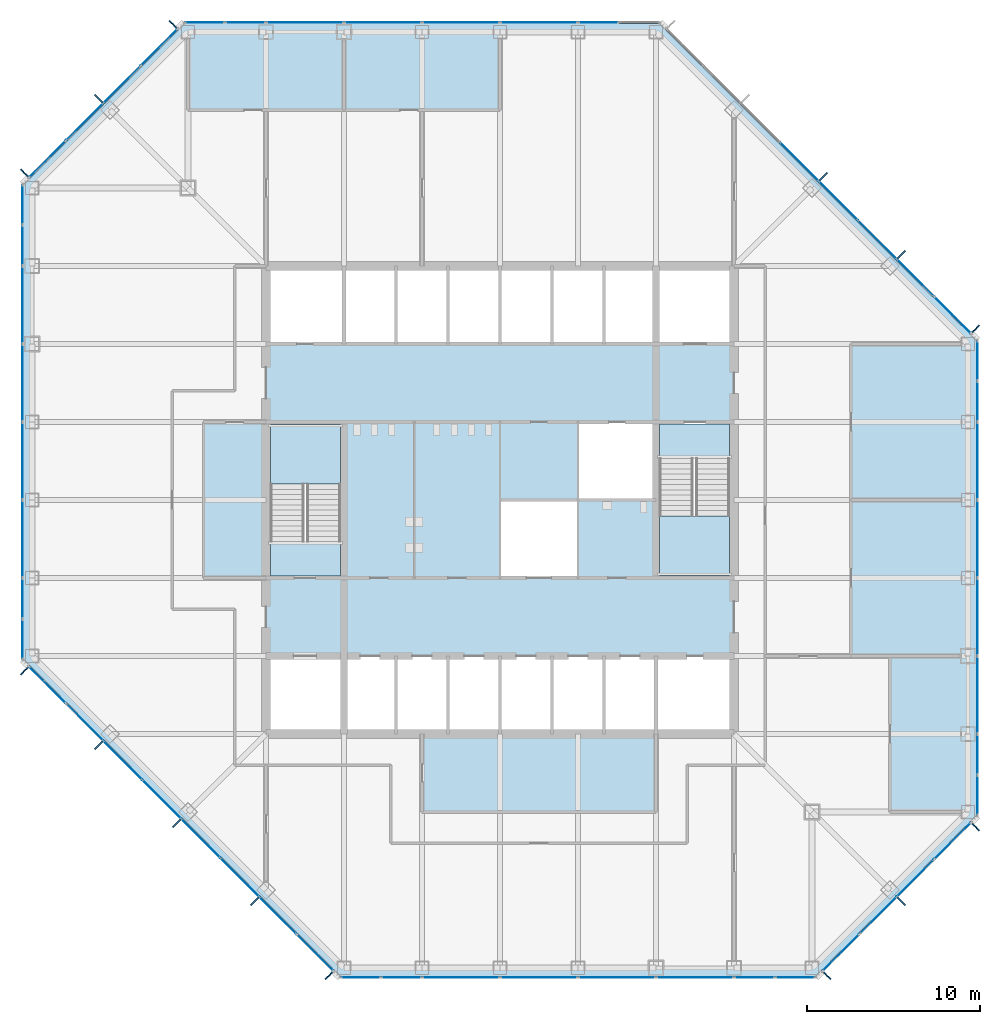
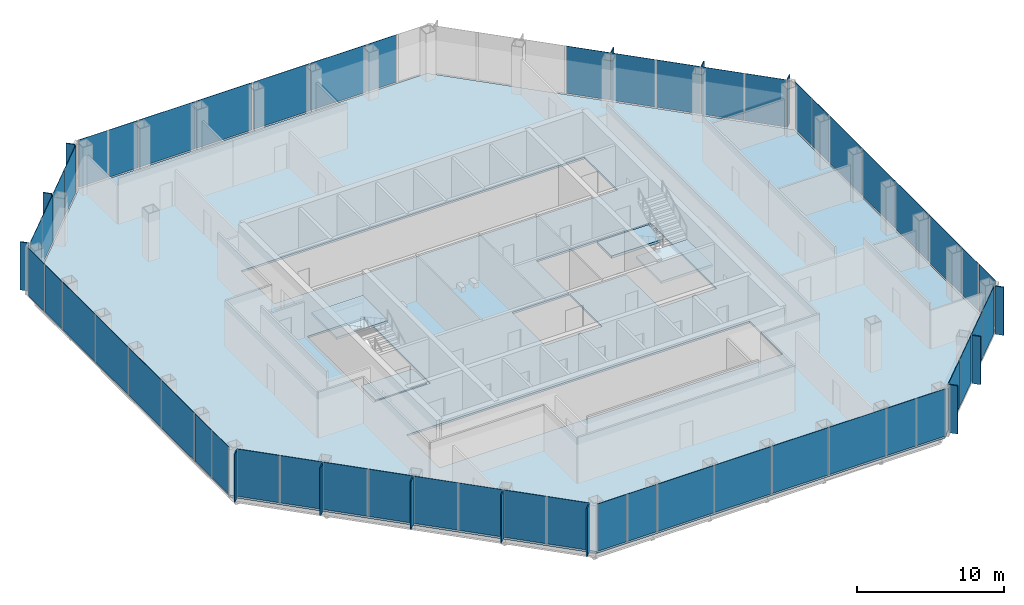
# One storey, part 7 of 12: 66 plates, 5 slabs, 10 elements without a shape of their own.
"""IFC4 building model written with IfcOpenShell, lengths in metres."""

from ifc_helpers import new_model, si_unit, direction, frame, origin, origin_2d, place, context, subcontext, project, spatial, polyline, rectangle, outline, extrude, material, layer, layer_set, type_object, element, aggregate, save


model = new_model("IFC4")

# Units and contexts
model_context = context("Model", 3, precision=1e-05, world=origin(), true_north=direction((0.0, 1.0)))
body_context = subcontext(model_context, "Body", "Model", "MODEL_VIEW")
ifc_project = project(units=[si_unit("LENGTHUNIT", "METRE"), si_unit("AREAUNIT", "SQUARE_METRE"), si_unit("VOLUMEUNIT", "CUBIC_METRE"), si_unit("PLANEANGLEUNIT", "RADIAN"), si_unit("MASSUNIT", "GRAM", prefix="KILO")], contexts=[model_context])

# Site, building, storey
site_placement = place(None, origin())
site = spatial("IfcSite", under=ifc_project, at=site_placement, CompositionType="ELEMENT")
building_placement = place(site_placement, origin())
building = spatial("IfcBuilding", under=site, at=building_placement, Name="Corais Broadcast Tower", CompositionType="ELEMENT")
storey_placement = place(building_placement, frame((0.0, 0.0, 115.60009765625)))
storey = spatial("IfcBuildingStorey", under=building, at=storey_placement, Name="L25", CompositionType="ELEMENT", Elevation=115.60009765625)

# Slab
ifc_material_1 = material(Name="Concrete C30/37", Category="concrete")
ifc_layer_1 = layer(ifc_material_1, 0.159912109375)
ifc_layer_set_1 = layer_set([ifc_layer_1], Name="Concrete C30/37")
slab_type_1 = type_object("IfcSlabType", Name="Composite floor slab 160", PredefinedType="FLOOR", material=ifc_layer_set_1)
slab_1_placement = place(storey_placement, frame((0.0, 0.0, -0.16015625)))
element("IfcSlab", 1, at=slab_1_placement, inside=storey, type_object=slab_type_1, Name="S160 floor slab L25", PredefinedType="FLOOR", context=body_context, shape_type="SweptSolid", body=[
    extrude(outline(polyline([(17.80126953125, -0.47998046875), (-0.47998046875, 17.80126953125), (-0.47998046875, 45.19873046875), (8.80126953125, 54.47998046875), (36.19873046875, 54.47998046875), (54.47998046875, 36.19873046875), (54.47998046875, 8.80126953125), (45.19873046875, -0.47998046875), (17.80126953125, -0.47998046875)]), holes=[polyline([(13.5, 18.0), (40.5, 18.0), (40.5, 13.5), (13.5, 13.5), (13.5, 18.0)]), polyline([(13.5, 22.5), (13.5, 31.5), (18.0, 31.5), (18.0, 22.5), (13.5, 22.5)]), polyline([(13.5, 40.5), (40.5, 40.5), (40.5, 36.0), (13.5, 36.0), (13.5, 40.5)]), polyline([(27.0, 22.5), (27.0, 27.0), (31.4951171875, 27.0), (31.4951171875, 27.0048828125), (31.5, 27.0048828125), (31.5, 31.5), (40.5, 31.5), (40.5, 22.5), (36.0, 22.5), (36.0, 27.0), (31.5048828125, 27.0), (31.5048828125, 26.9951171875), (31.5, 26.9951171875), (31.5, 22.5), (27.0, 22.5)])]), origin(), (0.0, 0.0, 1.0), 0.16015625),
])

# Curtain wall, plates
ifc_material_2 = material(Name="Aluminium and glass", Category="aluminium")
curtain_wall_type = type_object("IfcCurtainWallType", Name="Unitised fritted curtain wall CW2", PredefinedType="NOTDEFINED", material=ifc_material_2)
curtain_wall_1_placement = place(storey_placement, origin())
curtain_wall_1 = element("IfcCurtainWall", 2, at=curtain_wall_1_placement, inside=storey, type_object=curtain_wall_type, Name="CW2 curtain wall L25 1", PredefinedType="NOTDEFINED")
ifc_material_3 = material(Name="Ceramic-fritted laminated glass", Category="glass")
ifc_layer_2 = layer(ifc_material_3, 0.028076171875)
ifc_layer_set_2 = layer_set([ifc_layer_2], Name="Ceramic-fritted laminated glass")
plate_type_1 = type_object("IfcPlateType", Name="Fritted glass panel CW2", PredefinedType="CURTAIN_PANEL", material=ifc_layer_set_2)
plate_1_placement = place(storey_placement, frame((16.330322265625, 0.891845703125, 0.06494140625), z_axis=(0.0, 0.0, 1.0), x_axis=(-0.707106781187, 0.707106781187, 0.0)))
plate_1 = element("IfcPlate", 3, at=plate_1_placement, type_object=plate_type_1, Name="CW2 panel 1", PredefinedType="CURTAIN_PANEL", context=body_context, shape_type="SweptSolid", body=[
    extrude(rectangle(XDim=2.9482421875, YDim=0.028076171875, at=origin_2d()), origin(), (0.0, 0.0, 1.0), 3.93505859375),
])
plate_2_placement = place(storey_placement, frame((11.986083984375, 5.236083984375, 0.06494140625), z_axis=(0.0, 0.0, 1.0), x_axis=(-0.707106781187, 0.707106781187, 0.0)))
plate_2 = element("IfcPlate", 4, at=plate_2_placement, type_object=plate_type_1, Name="CW2 panel 3", PredefinedType="CURTAIN_PANEL", context=body_context, shape_type="SweptSolid", body=[
    extrude(rectangle(XDim=3.116943359375, YDim=0.028076171875, at=origin_2d()), origin(), (0.0, 0.0, 1.0), 3.93505859375),
])
plate_3_placement = place(storey_placement, frame((7.486083984375, 9.736083984375, 0.06494140625), z_axis=(0.0, 0.0, 1.0), x_axis=(-0.707106781187, 0.707106781187, 0.0)))
plate_3 = element("IfcPlate", 5, at=plate_3_placement, type_object=plate_type_1, Name="CW2 panel 5", PredefinedType="CURTAIN_PANEL", context=body_context, shape_type="SweptSolid", body=[
    extrude(rectangle(XDim=3.116943359375, YDim=0.028076171875, at=origin_2d()), origin(), (0.0, 0.0, 1.0), 3.93505859375),
])
plate_4_placement = place(storey_placement, frame((3.0341796875, 14.18798828125, 0.06494140625), z_axis=(0.0, 0.0, 1.0), x_axis=(-0.707106781187, 0.707106781187, 0.0)))
plate_4 = element("IfcPlate", 6, at=plate_4_placement, type_object=plate_type_1, Name="CW2 panel 7", PredefinedType="CURTAIN_PANEL", context=body_context, shape_type="SweptSolid", body=[
    extrude(rectangle(XDim=2.98095703125, YDim=0.028076171875, at=origin_2d()), origin(), (0.0, 0.0, 1.0), 3.93505859375),
])

curtain_wall_2_placement = place(storey_placement, origin())
curtain_wall_2 = element("IfcCurtainWall", 7, at=curtain_wall_2_placement, inside=storey, type_object=curtain_wall_type, Name="CW2 curtain wall L25 2", PredefinedType="NOTDEFINED")
plate_5_placement = place(storey_placement, frame((-0.550048828125, 18.970458984375, 0.06494140625), z_axis=(0.0, 0.0, 1.0), x_axis=(0.0, 1.0, 0.0)))
plate_5 = element("IfcPlate", 8, at=plate_5_placement, type_object=plate_type_1, Name="CW2 panel 1", PredefinedType="CURTAIN_PANEL", context=body_context, shape_type="SweptSolid", body=[
    extrude(rectangle(XDim=2.266357421875, YDim=0.028076171875, at=origin_2d()), origin(), (0.0, 0.0, 1.0), 3.93505859375),
])
plate_6_placement = place(storey_placement, frame((-0.550048828125, 24.75, 0.06494140625), z_axis=(0.0, 0.0, 1.0), x_axis=(0.0, 1.0, 0.0)))
plate_6 = element("IfcPlate", 9, at=plate_6_placement, type_object=plate_type_1, Name="CW2 panel 3", PredefinedType="CURTAIN_PANEL", context=body_context, shape_type="SweptSolid", body=[
    extrude(rectangle(XDim=4.43505859375, YDim=0.028076171875, at=origin_2d()), origin(), (0.0, 0.0, 1.0), 3.93505859375),
])
plate_7_placement = place(storey_placement, frame((-0.550048828125, 33.75, 0.06494140625), z_axis=(0.0, 0.0, 1.0), x_axis=(0.0, 1.0, 0.0)))
plate_7 = element("IfcPlate", 10, at=plate_7_placement, type_object=plate_type_1, Name="CW2 panel 5", PredefinedType="CURTAIN_PANEL", context=body_context, shape_type="SweptSolid", body=[
    extrude(rectangle(XDim=4.43505859375, YDim=0.028076171875, at=origin_2d()), origin(), (0.0, 0.0, 1.0), 3.93505859375),
])
plate_8_placement = place(storey_placement, frame((-0.550048828125, 41.681884765625, 0.06494140625), z_axis=(0.0, 0.0, 1.0), x_axis=(0.0, 1.0, 0.0)))
plate_8 = element("IfcPlate", 11, at=plate_8_placement, type_object=plate_type_1, Name="CW2 panel 7", PredefinedType="CURTAIN_PANEL", context=body_context, shape_type="SweptSolid", body=[
    extrude(rectangle(XDim=2.298828125, YDim=0.028076171875, at=origin_2d()), origin(), (0.0, 0.0, 1.0), 3.93505859375),
])

curtain_wall_3_placement = place(storey_placement, origin())
curtain_wall_3 = element("IfcCurtainWall", 12, at=curtain_wall_3_placement, inside=storey, type_object=curtain_wall_type, Name="CW2 curtain wall L25 3", PredefinedType="NOTDEFINED")
plate_9_placement = place(storey_placement, frame((0.891845703125, 46.669677734375, 0.06494140625), z_axis=(0.0, 0.0, 1.0), x_axis=(0.707106781187, 0.707106781187, 0.0)))
plate_9 = element("IfcPlate", 13, at=plate_9_placement, type_object=plate_type_1, Name="CW2 panel 1", PredefinedType="CURTAIN_PANEL", context=body_context, shape_type="SweptSolid", body=[
    extrude(rectangle(XDim=2.9482421875, YDim=0.028076171875, at=origin_2d()), origin(), (0.0, 0.0, 1.0), 3.93505859375),
])
plate_10_placement = place(storey_placement, frame((5.18798828125, 50.9658203125, 0.06494140625), z_axis=(0.0, 0.0, 1.0), x_axis=(0.707106781187, 0.707106781187, 0.0)))
plate_10 = element("IfcPlate", 14, at=plate_10_placement, type_object=plate_type_1, Name="CW2 panel 3", PredefinedType="CURTAIN_PANEL", context=body_context, shape_type="SweptSolid", body=[
    extrude(rectangle(XDim=2.98095703125, YDim=0.028076171875, at=origin_2d()), origin(), (0.0, 0.0, 1.0), 3.93505859375),
])

curtain_wall_4_placement = place(storey_placement, origin())
curtain_wall_4 = element("IfcCurtainWall", 15, at=curtain_wall_4_placement, inside=storey, type_object=curtain_wall_type, Name="CW2 curtain wall L25 4", PredefinedType="NOTDEFINED")
plate_11_placement = place(storey_placement, frame((9.970458984375, 54.550048828125, 0.06494140625), z_axis=(0.0, 0.0, 1.0), x_axis=(1.0, 0.0, 0.0)))
plate_11 = element("IfcPlate", 16, at=plate_11_placement, type_object=plate_type_1, Name="CW2 panel 1", PredefinedType="CURTAIN_PANEL", context=body_context, shape_type="SweptSolid", body=[
    extrude(rectangle(XDim=2.266357421875, YDim=0.028076171875, at=origin_2d()), origin(), (0.0, 0.0, 1.0), 3.93505859375),
])
plate_12_placement = place(storey_placement, frame((15.75, 54.550048828125, 0.06494140625), z_axis=(0.0, 0.0, 1.0), x_axis=(1.0, 0.0, 0.0)))
plate_12 = element("IfcPlate", 17, at=plate_12_placement, type_object=plate_type_1, Name="CW2 panel 3", PredefinedType="CURTAIN_PANEL", context=body_context, shape_type="SweptSolid", body=[
    extrude(rectangle(XDim=4.43505859375, YDim=0.028076171875, at=origin_2d()), origin(), (0.0, 0.0, 1.0), 3.93505859375),
])
plate_13_placement = place(storey_placement, frame((24.75, 54.550048828125, 0.06494140625), z_axis=(0.0, 0.0, 1.0), x_axis=(1.0, 0.0, 0.0)))
plate_13 = element("IfcPlate", 18, at=plate_13_placement, type_object=plate_type_1, Name="CW2 panel 5", PredefinedType="CURTAIN_PANEL", context=body_context, shape_type="SweptSolid", body=[
    extrude(rectangle(XDim=4.43505859375, YDim=0.028076171875, at=origin_2d()), origin(), (0.0, 0.0, 1.0), 3.93505859375),
])
plate_14_placement = place(storey_placement, frame((32.681884765625, 54.550048828125, 0.06494140625), z_axis=(0.0, 0.0, 1.0), x_axis=(1.0, 0.0, 0.0)))
plate_14 = element("IfcPlate", 19, at=plate_14_placement, type_object=plate_type_1, Name="CW2 panel 7", PredefinedType="CURTAIN_PANEL", context=body_context, shape_type="SweptSolid", body=[
    extrude(rectangle(XDim=2.298828125, YDim=0.028076171875, at=origin_2d()), origin(), (0.0, 0.0, 1.0), 3.93505859375),
])

curtain_wall_5_placement = place(storey_placement, origin())
curtain_wall_5 = element("IfcCurtainWall", 20, at=curtain_wall_5_placement, inside=storey, type_object=curtain_wall_type, Name="CW2 curtain wall L25 5", PredefinedType="NOTDEFINED")
plate_15_placement = place(storey_placement, frame((46.513916015625, 44.263916015625, 0.06494140625), z_axis=(0.0, 0.0, 1.0), x_axis=(0.707106781187, -0.707106781187, 0.0)))
plate_15 = element("IfcPlate", 21, at=plate_15_placement, type_object=plate_type_1, Name="CW2 panel 5", PredefinedType="CURTAIN_PANEL", context=body_context, shape_type="SweptSolid", body=[
    extrude(rectangle(XDim=3.116943359375, YDim=0.028076171875, at=origin_2d()), origin(), (0.0, 0.0, 1.0), 3.93505859375),
])
plate_16_placement = place(storey_placement, frame((50.9658203125, 39.81201171875, 0.06494140625), z_axis=(0.0, 0.0, 1.0), x_axis=(0.707106781187, -0.707106781187, 0.0)))
plate_16 = element("IfcPlate", 22, at=plate_16_placement, type_object=plate_type_1, Name="CW2 panel 7", PredefinedType="CURTAIN_PANEL", context=body_context, shape_type="SweptSolid", body=[
    extrude(rectangle(XDim=2.98095703125, YDim=0.028076171875, at=origin_2d()), origin(), (0.0, 0.0, 1.0), 3.93505859375),
])

curtain_wall_6_placement = place(storey_placement, origin())
curtain_wall_6 = element("IfcCurtainWall", 23, at=curtain_wall_6_placement, inside=storey, type_object=curtain_wall_type, Name="CW2 curtain wall L25 6", PredefinedType="NOTDEFINED")
plate_17_placement = place(storey_placement, frame((54.550048828125, 35.029541015625, 0.06494140625), z_axis=(0.0, 0.0, 1.0), x_axis=(0.0, -1.0, 0.0)))
plate_17 = element("IfcPlate", 24, at=plate_17_placement, type_object=plate_type_1, Name="CW2 panel 1", PredefinedType="CURTAIN_PANEL", context=body_context, shape_type="SweptSolid", body=[
    extrude(rectangle(XDim=2.266357421875, YDim=0.028076171875, at=origin_2d()), origin(), (0.0, 0.0, 1.0), 3.93505859375),
])
plate_18_placement = place(storey_placement, frame((54.550048828125, 29.25, 0.06494140625), z_axis=(0.0, 0.0, 1.0), x_axis=(0.0, -1.0, 0.0)))
plate_18 = element("IfcPlate", 25, at=plate_18_placement, type_object=plate_type_1, Name="CW2 panel 3", PredefinedType="CURTAIN_PANEL", context=body_context, shape_type="SweptSolid", body=[
    extrude(rectangle(XDim=4.43505859375, YDim=0.028076171875, at=origin_2d()), origin(), (0.0, 0.0, 1.0), 3.93505859375),
])
plate_19_placement = place(storey_placement, frame((54.550048828125, 20.25, 0.06494140625), z_axis=(0.0, 0.0, 1.0), x_axis=(0.0, -1.0, 0.0)))
plate_19 = element("IfcPlate", 26, at=plate_19_placement, type_object=plate_type_1, Name="CW2 panel 5", PredefinedType="CURTAIN_PANEL", context=body_context, shape_type="SweptSolid", body=[
    extrude(rectangle(XDim=4.43505859375, YDim=0.028076171875, at=origin_2d()), origin(), (0.0, 0.0, 1.0), 3.93505859375),
])
plate_20_placement = place(storey_placement, frame((54.550048828125, 12.318115234375, 0.06494140625), z_axis=(0.0, 0.0, 1.0), x_axis=(0.0, -1.0, 0.0)))
plate_20 = element("IfcPlate", 27, at=plate_20_placement, type_object=plate_type_1, Name="CW2 panel 7", PredefinedType="CURTAIN_PANEL", context=body_context, shape_type="SweptSolid", body=[
    extrude(rectangle(XDim=2.298828125, YDim=0.028076171875, at=origin_2d()), origin(), (0.0, 0.0, 1.0), 3.93505859375),
])

curtain_wall_7_placement = place(storey_placement, origin())
curtain_wall_7 = element("IfcCurtainWall", 28, at=curtain_wall_7_placement, inside=storey, type_object=curtain_wall_type, Name="CW2 curtain wall L25 7", PredefinedType="NOTDEFINED")
plate_21_placement = place(storey_placement, frame((53.108154296875, 7.330322265625, 0.06494140625), z_axis=(0.0, 0.0, 1.0), x_axis=(-0.707106781187, -0.707106781187, 0.0)))
plate_21 = element("IfcPlate", 29, at=plate_21_placement, type_object=plate_type_1, Name="CW2 panel 1", PredefinedType="CURTAIN_PANEL", context=body_context, shape_type="SweptSolid", body=[
    extrude(rectangle(XDim=2.9482421875, YDim=0.028076171875, at=origin_2d()), origin(), (0.0, 0.0, 1.0), 3.93505859375),
])
plate_22_placement = place(storey_placement, frame((48.81201171875, 3.0341796875, 0.06494140625), z_axis=(0.0, 0.0, 1.0), x_axis=(-0.707106781187, -0.707106781187, 0.0)))
plate_22 = element("IfcPlate", 30, at=plate_22_placement, type_object=plate_type_1, Name="CW2 panel 3", PredefinedType="CURTAIN_PANEL", context=body_context, shape_type="SweptSolid", body=[
    extrude(rectangle(XDim=2.98095703125, YDim=0.028076171875, at=origin_2d()), origin(), (0.0, 0.0, 1.0), 3.93505859375),
])

curtain_wall_8_placement = place(storey_placement, origin())
curtain_wall_8 = element("IfcCurtainWall", 31, at=curtain_wall_8_placement, inside=storey, type_object=curtain_wall_type, Name="CW2 curtain wall L25 8", PredefinedType="NOTDEFINED")
plate_23_placement = place(storey_placement, frame((44.029541015625, -0.550048828125, 0.06494140625), z_axis=(0.0, 0.0, 1.0), x_axis=(-1.0, 0.0, 0.0)))
plate_23 = element("IfcPlate", 32, at=plate_23_placement, type_object=plate_type_1, Name="CW2 panel 1", PredefinedType="CURTAIN_PANEL", context=body_context, shape_type="SweptSolid", body=[
    extrude(rectangle(XDim=2.266357421875, YDim=0.028076171875, at=origin_2d()), origin(), (0.0, 0.0, 1.0), 3.93505859375),
])
plate_24_placement = place(storey_placement, frame((38.25, -0.550048828125, 0.06494140625), z_axis=(0.0, 0.0, 1.0), x_axis=(-1.0, 0.0, 0.0)))
plate_24 = element("IfcPlate", 33, at=plate_24_placement, type_object=plate_type_1, Name="CW2 panel 3", PredefinedType="CURTAIN_PANEL", context=body_context, shape_type="SweptSolid", body=[
    extrude(rectangle(XDim=4.43505859375, YDim=0.028076171875, at=origin_2d()), origin(), (0.0, 0.0, 1.0), 3.93505859375),
])
plate_25_placement = place(storey_placement, frame((29.25, -0.550048828125, 0.06494140625), z_axis=(0.0, 0.0, 1.0), x_axis=(-1.0, 0.0, 0.0)))
plate_25 = element("IfcPlate", 34, at=plate_25_placement, type_object=plate_type_1, Name="CW2 panel 5", PredefinedType="CURTAIN_PANEL", context=body_context, shape_type="SweptSolid", body=[
    extrude(rectangle(XDim=4.43505859375, YDim=0.028076171875, at=origin_2d()), origin(), (0.0, 0.0, 1.0), 3.93505859375),
])
plate_26_placement = place(storey_placement, frame((21.318115234375, -0.550048828125, 0.06494140625), z_axis=(0.0, 0.0, 1.0), x_axis=(-1.0, 0.0, 0.0)))
plate_26 = element("IfcPlate", 35, at=plate_26_placement, type_object=plate_type_1, Name="CW2 panel 7", PredefinedType="CURTAIN_PANEL", context=body_context, shape_type="SweptSolid", body=[
    extrude(rectangle(XDim=2.298828125, YDim=0.028076171875, at=origin_2d()), origin(), (0.0, 0.0, 1.0), 3.93505859375),
])

# Plate
ifc_material_4 = material(Name="Clear laminated glass", Category="glass")
ifc_layer_3 = layer(ifc_material_4, 0.031982421875)
ifc_layer_set_3 = layer_set([ifc_layer_3], Name="Clear laminated glass")
plate_type_2 = type_object("IfcPlateType", Name="Operable glass panel CW2", PredefinedType="CURTAIN_PANEL", material=ifc_layer_set_3)
plate_27_placement = place(storey_placement, frame((14.18798828125, 3.0341796875, 0.06494140625), z_axis=(0.0, 0.0, 1.0), x_axis=(-0.707106781187, 0.707106781187, 0.0)))
plate_27 = element("IfcPlate", 36, at=plate_27_placement, type_object=plate_type_2, Name="CW2 operable panel 2", PredefinedType="CURTAIN_PANEL", context=body_context, shape_type="SweptSolid", body=[
    extrude(rectangle(XDim=2.98095703125, YDim=0.031982421875, at=origin_2d()), origin(), (0.0, 0.0, 1.0), 3.93505859375),
])

plate_28_placement = place(storey_placement, frame((9.736083984375, 7.486083984375, 0.06494140625), z_axis=(0.0, 0.0, 1.0), x_axis=(-0.707106781187, 0.707106781187, 0.0)))
plate_28 = element("IfcPlate", 37, at=plate_28_placement, type_object=plate_type_2, Name="CW2 operable panel 4", PredefinedType="CURTAIN_PANEL", context=body_context, shape_type="SweptSolid", body=[
    extrude(rectangle(XDim=3.116943359375, YDim=0.031982421875, at=origin_2d()), origin(), (0.0, 0.0, 1.0), 3.93505859375),
])

plate_29_placement = place(storey_placement, frame((5.236083984375, 11.986083984375, 0.06494140625), z_axis=(0.0, 0.0, 1.0), x_axis=(-0.707106781187, 0.707106781187, 0.0)))
plate_29 = element("IfcPlate", 38, at=plate_29_placement, type_object=plate_type_2, Name="CW2 operable panel 6", PredefinedType="CURTAIN_PANEL", context=body_context, shape_type="SweptSolid", body=[
    extrude(rectangle(XDim=3.116943359375, YDim=0.031982421875, at=origin_2d()), origin(), (0.0, 0.0, 1.0), 3.93505859375),
])

plate_30_placement = place(storey_placement, frame((0.89208984375, 16.330322265625, 0.06494140625), z_axis=(0.0, 0.0, 1.0), x_axis=(-0.707106781187, 0.707106781187, 0.0)))
plate_30 = element("IfcPlate", 39, at=plate_30_placement, type_object=plate_type_2, Name="CW2 operable panel 8", PredefinedType="CURTAIN_PANEL", context=body_context, shape_type="SweptSolid", body=[
    extrude(rectangle(XDim=2.948486328125, YDim=0.031982421875, at=origin_2d()), origin(), (0.0, 0.0, 1.0), 3.93505859375),
])

aggregate(curtain_wall_1, [plate_1, plate_27, plate_2, plate_28, plate_3, plate_29, plate_4, plate_30])

plate_31_placement = place(storey_placement, frame((-0.550048828125, 21.318115234375, 0.06494140625), z_axis=(0.0, 0.0, 1.0), x_axis=(0.0, 1.0, 0.0)))
plate_31 = element("IfcPlate", 40, at=plate_31_placement, type_object=plate_type_2, Name="CW2 operable panel 2", PredefinedType="CURTAIN_PANEL", context=body_context, shape_type="SweptSolid", body=[
    extrude(rectangle(XDim=2.298828125, YDim=0.031982421875, at=origin_2d()), origin(), (0.0, 0.0, 1.0), 3.93505859375),
])

plate_32_placement = place(storey_placement, frame((-0.550048828125, 29.25, 0.06494140625), z_axis=(0.0, 0.0, 1.0), x_axis=(0.0, 1.0, 0.0)))
plate_32 = element("IfcPlate", 41, at=plate_32_placement, type_object=plate_type_2, Name="CW2 operable panel 4", PredefinedType="CURTAIN_PANEL", context=body_context, shape_type="SweptSolid", body=[
    extrude(rectangle(XDim=4.43505859375, YDim=0.031982421875, at=origin_2d()), origin(), (0.0, 0.0, 1.0), 3.93505859375),
])

plate_33_placement = place(storey_placement, frame((-0.550048828125, 38.25, 0.06494140625), z_axis=(0.0, 0.0, 1.0), x_axis=(0.0, 1.0, 0.0)))
plate_33 = element("IfcPlate", 42, at=plate_33_placement, type_object=plate_type_2, Name="CW2 operable panel 6", PredefinedType="CURTAIN_PANEL", context=body_context, shape_type="SweptSolid", body=[
    extrude(rectangle(XDim=4.43505859375, YDim=0.031982421875, at=origin_2d()), origin(), (0.0, 0.0, 1.0), 3.93505859375),
])

plate_34_placement = place(storey_placement, frame((-0.550048828125, 44.029541015625, 0.06494140625), z_axis=(0.0, 0.0, 1.0), x_axis=(0.0, 1.0, 0.0)))
plate_34 = element("IfcPlate", 43, at=plate_34_placement, type_object=plate_type_2, Name="CW2 operable panel 8", PredefinedType="CURTAIN_PANEL", context=body_context, shape_type="SweptSolid", body=[
    extrude(rectangle(XDim=2.266357421875, YDim=0.031982421875, at=origin_2d()), origin(), (0.0, 0.0, 1.0), 3.93505859375),
])

aggregate(curtain_wall_2, [plate_5, plate_31, plate_6, plate_32, plate_7, plate_33, plate_8, plate_34])

plate_35_placement = place(storey_placement, frame((3.0341796875, 48.81201171875, 0.06494140625), z_axis=(0.0, 0.0, 1.0), x_axis=(0.707106781187, 0.707106781187, 0.0)))
plate_35 = element("IfcPlate", 44, at=plate_35_placement, type_object=plate_type_2, Name="CW2 operable panel 2", PredefinedType="CURTAIN_PANEL", context=body_context, shape_type="SweptSolid", body=[
    extrude(rectangle(XDim=2.98095703125, YDim=0.031982421875, at=origin_2d()), origin(), (0.0, 0.0, 1.0), 3.93505859375),
])

plate_36_placement = place(storey_placement, frame((7.330322265625, 53.10791015625, 0.06494140625), z_axis=(0.0, 0.0, 1.0), x_axis=(0.707106781187, 0.707106781187, 0.0)))
plate_36 = element("IfcPlate", 45, at=plate_36_placement, type_object=plate_type_2, Name="CW2 operable panel 4", PredefinedType="CURTAIN_PANEL", context=body_context, shape_type="SweptSolid", body=[
    extrude(rectangle(XDim=2.948486328125, YDim=0.031982421875, at=origin_2d()), origin(), (0.0, 0.0, 1.0), 3.93505859375),
])

aggregate(curtain_wall_3, [plate_9, plate_35, plate_10, plate_36])

plate_37_placement = place(storey_placement, frame((12.318115234375, 54.550048828125, 0.06494140625), z_axis=(0.0, 0.0, 1.0), x_axis=(1.0, 0.0, 0.0)))
plate_37 = element("IfcPlate", 46, at=plate_37_placement, type_object=plate_type_2, Name="CW2 operable panel 2", PredefinedType="CURTAIN_PANEL", context=body_context, shape_type="SweptSolid", body=[
    extrude(rectangle(XDim=2.298828125, YDim=0.031982421875, at=origin_2d()), origin(), (0.0, 0.0, 1.0), 3.93505859375),
])

plate_38_placement = place(storey_placement, frame((20.25, 54.550048828125, 0.06494140625), z_axis=(0.0, 0.0, 1.0), x_axis=(1.0, 0.0, 0.0)))
plate_38 = element("IfcPlate", 47, at=plate_38_placement, type_object=plate_type_2, Name="CW2 operable panel 4", PredefinedType="CURTAIN_PANEL", context=body_context, shape_type="SweptSolid", body=[
    extrude(rectangle(XDim=4.43505859375, YDim=0.031982421875, at=origin_2d()), origin(), (0.0, 0.0, 1.0), 3.93505859375),
])

plate_39_placement = place(storey_placement, frame((29.25, 54.550048828125, 0.06494140625), z_axis=(0.0, 0.0, 1.0), x_axis=(1.0, 0.0, 0.0)))
plate_39 = element("IfcPlate", 48, at=plate_39_placement, type_object=plate_type_2, Name="CW2 operable panel 6", PredefinedType="CURTAIN_PANEL", context=body_context, shape_type="SweptSolid", body=[
    extrude(rectangle(XDim=4.43505859375, YDim=0.031982421875, at=origin_2d()), origin(), (0.0, 0.0, 1.0), 3.93505859375),
])

aggregate(curtain_wall_4, [plate_11, plate_37, plate_12, plate_38, plate_13, plate_39, plate_14])

plate_40_placement = place(storey_placement, frame((44.263916015625, 46.513916015625, 0.06494140625), z_axis=(0.0, 0.0, 1.0), x_axis=(0.707106781187, -0.707106781187, 0.0)))
plate_40 = element("IfcPlate", 49, at=plate_40_placement, type_object=plate_type_2, Name="CW2 operable panel 4", PredefinedType="CURTAIN_PANEL", context=body_context, shape_type="SweptSolid", body=[
    extrude(rectangle(XDim=3.116943359375, YDim=0.031982421875, at=origin_2d()), origin(), (0.0, 0.0, 1.0), 3.93505859375),
])

plate_41_placement = place(storey_placement, frame((48.763916015625, 42.013916015625, 0.06494140625), z_axis=(0.0, 0.0, 1.0), x_axis=(0.707106781187, -0.707106781187, 0.0)))
plate_41 = element("IfcPlate", 50, at=plate_41_placement, type_object=plate_type_2, Name="CW2 operable panel 6", PredefinedType="CURTAIN_PANEL", context=body_context, shape_type="SweptSolid", body=[
    extrude(rectangle(XDim=3.116943359375, YDim=0.031982421875, at=origin_2d()), origin(), (0.0, 0.0, 1.0), 3.93505859375),
])

plate_42_placement = place(storey_placement, frame((53.10791015625, 37.669677734375, 0.06494140625), z_axis=(0.0, 0.0, 1.0), x_axis=(0.707106781187, -0.707106781187, 0.0)))
plate_42 = element("IfcPlate", 51, at=plate_42_placement, type_object=plate_type_2, Name="CW2 operable panel 8", PredefinedType="CURTAIN_PANEL", context=body_context, shape_type="SweptSolid", body=[
    extrude(rectangle(XDim=2.948486328125, YDim=0.031982421875, at=origin_2d()), origin(), (0.0, 0.0, 1.0), 3.93505859375),
])

aggregate(curtain_wall_5, [plate_40, plate_15, plate_41, plate_16, plate_42])

plate_43_placement = place(storey_placement, frame((54.550048828125, 32.681884765625, 0.06494140625), z_axis=(0.0, 0.0, 1.0), x_axis=(0.0, -1.0, 0.0)))
plate_43 = element("IfcPlate", 52, at=plate_43_placement, type_object=plate_type_2, Name="CW2 operable panel 2", PredefinedType="CURTAIN_PANEL", context=body_context, shape_type="SweptSolid", body=[
    extrude(rectangle(XDim=2.298828125, YDim=0.031982421875, at=origin_2d()), origin(), (0.0, 0.0, 1.0), 3.93505859375),
])

plate_44_placement = place(storey_placement, frame((54.550048828125, 24.75, 0.06494140625), z_axis=(0.0, 0.0, 1.0), x_axis=(0.0, -1.0, 0.0)))
plate_44 = element("IfcPlate", 53, at=plate_44_placement, type_object=plate_type_2, Name="CW2 operable panel 4", PredefinedType="CURTAIN_PANEL", context=body_context, shape_type="SweptSolid", body=[
    extrude(rectangle(XDim=4.43505859375, YDim=0.031982421875, at=origin_2d()), origin(), (0.0, 0.0, 1.0), 3.93505859375),
])

plate_45_placement = place(storey_placement, frame((54.550048828125, 15.75, 0.06494140625), z_axis=(0.0, 0.0, 1.0), x_axis=(0.0, -1.0, 0.0)))
plate_45 = element("IfcPlate", 54, at=plate_45_placement, type_object=plate_type_2, Name="CW2 operable panel 6", PredefinedType="CURTAIN_PANEL", context=body_context, shape_type="SweptSolid", body=[
    extrude(rectangle(XDim=4.43505859375, YDim=0.031982421875, at=origin_2d()), origin(), (0.0, 0.0, 1.0), 3.93505859375),
])

plate_46_placement = place(storey_placement, frame((54.550048828125, 9.970458984375, 0.06494140625), z_axis=(0.0, 0.0, 1.0), x_axis=(0.0, -1.0, 0.0)))
plate_46 = element("IfcPlate", 55, at=plate_46_placement, type_object=plate_type_2, Name="CW2 operable panel 8", PredefinedType="CURTAIN_PANEL", context=body_context, shape_type="SweptSolid", body=[
    extrude(rectangle(XDim=2.266357421875, YDim=0.031982421875, at=origin_2d()), origin(), (0.0, 0.0, 1.0), 3.93505859375),
])

aggregate(curtain_wall_6, [plate_17, plate_43, plate_18, plate_44, plate_19, plate_45, plate_20, plate_46])

plate_47_placement = place(storey_placement, frame((50.9658203125, 5.18798828125, 0.06494140625), z_axis=(0.0, 0.0, 1.0), x_axis=(-0.707106781187, -0.707106781187, 0.0)))
plate_47 = element("IfcPlate", 56, at=plate_47_placement, type_object=plate_type_2, Name="CW2 operable panel 2", PredefinedType="CURTAIN_PANEL", context=body_context, shape_type="SweptSolid", body=[
    extrude(rectangle(XDim=2.98095703125, YDim=0.031982421875, at=origin_2d()), origin(), (0.0, 0.0, 1.0), 3.93505859375),
])

plate_48_placement = place(storey_placement, frame((46.669677734375, 0.89208984375, 0.06494140625), z_axis=(0.0, 0.0, 1.0), x_axis=(-0.707106781187, -0.707106781187, 0.0)))
plate_48 = element("IfcPlate", 57, at=plate_48_placement, type_object=plate_type_2, Name="CW2 operable panel 4", PredefinedType="CURTAIN_PANEL", context=body_context, shape_type="SweptSolid", body=[
    extrude(rectangle(XDim=2.948486328125, YDim=0.031982421875, at=origin_2d()), origin(), (0.0, 0.0, 1.0), 3.93505859375),
])

aggregate(curtain_wall_7, [plate_21, plate_47, plate_22, plate_48])

plate_49_placement = place(storey_placement, frame((41.681884765625, -0.550048828125, 0.06494140625), z_axis=(0.0, 0.0, 1.0), x_axis=(-1.0, 0.0, 0.0)))
plate_49 = element("IfcPlate", 58, at=plate_49_placement, type_object=plate_type_2, Name="CW2 operable panel 2", PredefinedType="CURTAIN_PANEL", context=body_context, shape_type="SweptSolid", body=[
    extrude(rectangle(XDim=2.298828125, YDim=0.031982421875, at=origin_2d()), origin(), (0.0, 0.0, 1.0), 3.93505859375),
])

plate_50_placement = place(storey_placement, frame((33.75, -0.550048828125, 0.06494140625), z_axis=(0.0, 0.0, 1.0), x_axis=(-1.0, 0.0, 0.0)))
plate_50 = element("IfcPlate", 59, at=plate_50_placement, type_object=plate_type_2, Name="CW2 operable panel 4", PredefinedType="CURTAIN_PANEL", context=body_context, shape_type="SweptSolid", body=[
    extrude(rectangle(XDim=4.43505859375, YDim=0.031982421875, at=origin_2d()), origin(), (0.0, 0.0, 1.0), 3.93505859375),
])

plate_51_placement = place(storey_placement, frame((24.75, -0.550048828125, 0.06494140625), z_axis=(0.0, 0.0, 1.0), x_axis=(-1.0, 0.0, 0.0)))
plate_51 = element("IfcPlate", 60, at=plate_51_placement, type_object=plate_type_2, Name="CW2 operable panel 6", PredefinedType="CURTAIN_PANEL", context=body_context, shape_type="SweptSolid", body=[
    extrude(rectangle(XDim=4.43505859375, YDim=0.031982421875, at=origin_2d()), origin(), (0.0, 0.0, 1.0), 3.93505859375),
])

plate_52_placement = place(storey_placement, frame((18.970458984375, -0.550048828125, 0.06494140625), z_axis=(0.0, 0.0, 1.0), x_axis=(-1.0, 0.0, 0.0)))
plate_52 = element("IfcPlate", 61, at=plate_52_placement, type_object=plate_type_2, Name="CW2 operable panel 8", PredefinedType="CURTAIN_PANEL", context=body_context, shape_type="SweptSolid", body=[
    extrude(rectangle(XDim=2.266357421875, YDim=0.031982421875, at=origin_2d()), origin(), (0.0, 0.0, 1.0), 3.93505859375),
])

aggregate(curtain_wall_8, [plate_23, plate_49, plate_24, plate_50, plate_25, plate_51, plate_26, plate_52])

# Stair, slabs
ifc_material_5 = material(Name="Concrete C30/37", Category="concrete")
stair_type = type_object("IfcStairType", Name="Half-turn stair 4000", PredefinedType="HALF_TURN_STAIR", material=ifc_material_5)
stair_1_placement = place(storey_placement, origin())
stair_1 = element("IfcStair", 62, at=stair_1_placement, inside=storey, type_object=stair_type, Name="Stair A L25", PredefinedType="HALF_TURN_STAIR")
ifc_material_6 = material(Name="Concrete C30/37", Category="concrete")
ifc_layer_4 = layer(ifc_material_6, 0.199951171875)
ifc_layer_set_4 = layer_set([ifc_layer_4], Name="Concrete C30/37")
slab_type_2 = type_object("IfcSlabType", Name="Stair landing 200", PredefinedType="LANDING", material=ifc_layer_set_4)
slab_2_placement = place(storey_placement, frame((0.0, 0.0, -0.2001953125)))
slab_2 = element("IfcSlab", 63, at=slab_2_placement, type_object=slab_type_2, Name="STA landing 1", PredefinedType="LANDING", context=body_context, shape_type="SweptSolid", body=[
    extrude(outline(polyline([(13.75, 22.625), (17.800048828125, 22.625), (17.800048828125, 24.60009765625), (13.75, 24.60009765625), (13.75, 22.625)])), origin(), (0.0, 0.0, 1.0), 0.2001953125),
])
slab_3_placement = place(storey_placement, frame((0.0, 0.0, 1.7998046875)))
slab_3 = element("IfcSlab", 64, at=slab_3_placement, type_object=slab_type_2, Name="STA landing 2", PredefinedType="LANDING", context=body_context, shape_type="SweptSolid", body=[
    extrude(outline(polyline([(13.75, 27.922119140625), (17.800048828125, 27.922119140625), (17.800048828125, 31.375), (13.75, 31.375), (13.75, 27.922119140625)])), origin(), (0.0, 0.0, 1.0), 0.2001953125),
])
aggregate(stair_1, [slab_2, slab_3])

stair_2_placement = place(storey_placement, origin())
stair_2 = element("IfcStair", 65, at=stair_2_placement, inside=storey, type_object=stair_type, Name="Stair B L25", PredefinedType="HALF_TURN_STAIR")
slab_4_placement = place(storey_placement, frame((0.0, 0.0, -0.2001953125)))
slab_4 = element("IfcSlab", 66, at=slab_4_placement, type_object=slab_type_2, Name="STB landing 1", PredefinedType="LANDING", context=body_context, shape_type="SweptSolid", body=[
    extrude(outline(polyline([(36.199951171875, 29.39990234375), (40.25, 29.39990234375), (40.25, 31.375), (36.199951171875, 31.375), (36.199951171875, 29.39990234375)])), origin(), (0.0, 0.0, 1.0), 0.2001953125),
])
slab_5_placement = place(storey_placement, frame((0.0, 0.0, 1.7998046875)))
slab_5 = element("IfcSlab", 67, at=slab_5_placement, type_object=slab_type_2, Name="STB landing 2", PredefinedType="LANDING", context=body_context, shape_type="SweptSolid", body=[
    extrude(outline(polyline([(36.199951171875, 22.625), (40.25, 22.625), (40.25, 26.077880859375), (36.199951171875, 26.077880859375), (36.199951171875, 22.625)])), origin(), (0.0, 0.0, 1.0), 0.2001953125),
])
aggregate(stair_2, [slab_4, slab_5])

# Plates
ifc_material_7 = material(Name="Granite stone cladding", Category="masonry")
ifc_layer_5 = layer(ifc_material_7, 0.080078125)
ifc_layer_set_5 = layer_set([ifc_layer_5], Name="Granite stone cladding")
plate_type_3 = type_object("IfcPlateType", Name="Stone screen fin 80x600", PredefinedType="USERDEFINED", material=ifc_layer_set_5)
for number, where, z_axis, x_axis, name in (
    (68, (17.1220703125, -0.447021484375, 0.0), (0.0, 0.0, 1.0), (-0.707106781187, 0.707106781187, 0.0), "SF1 stone screen fin L25"),
    (69, (12.83740234375, 3.83740234375, 0.0), (0.0, 0.0, 1.0), (-0.707106781187, 0.707106781187, 0.0), "SF1 stone screen fin L25"),
    (70, (8.33740234375, 8.33740234375, 0.0), (0.0, 0.0, 1.0), (-0.707106781187, 0.707106781187, 0.0), "SF1 stone screen fin L25"),
    (71, (3.83740234375, 12.83740234375, 0.0), (0.0, 0.0, 1.0), (-0.707106781187, 0.707106781187, 0.0), "SF1 stone screen fin L25"),
    (72, (-0.447021484375, 17.1220703125, 0.0), (0.0, 0.0, 1.0), (-0.707106781187, 0.707106781187, 0.0), "SF1 stone screen fin L25"),
    (73, (-0.447021484375, 45.8779296875, 0.0), (0.0, 0.0, 1.0), (0.707106781187, 0.707106781187, 0.0), "SF1 stone screen fin L25"),
    (74, (3.83740234375, 50.16259765625, 0.0), (0.0, 0.0, 1.0), (0.707106781187, 0.707106781187, 0.0), "SF1 stone screen fin L25"),
    (75, (8.1220703125, 54.447021484375, 0.0), (0.0, 0.0, 1.0), (0.707106781187, 0.707106781187, 0.0), "SF1 stone screen fin L25"),
    (76, (45.66259765625, 45.66259765625, 0.0), (0.0, 0.0, 1.0), (0.707106781187, -0.707106781187, 0.0), "SF1 stone screen fin L25"),
    (77, (50.16259765625, 41.16259765625, 0.0), (0.0, 0.0, 1.0), (0.707106781187, -0.707106781187, 0.0), "SF1 stone screen fin L25"),
    (78, (54.447021484375, 36.8779296875, 0.0), (0.0, 0.0, 1.0), (0.707106781187, -0.707106781187, 0.0), "SF1 stone screen fin L25"),
    (79, (54.447021484375, 8.1220703125, 0.0), (0.0, 0.0, 1.0), (-0.707106781187, -0.707106781187, 0.0), "SF1 stone screen fin L25"),
    (80, (50.16259765625, 3.83740234375, 0.0), (0.0, 0.0, 1.0), (-0.707106781187, -0.707106781187, 0.0), "SF1 stone screen fin L25"),
    (81, (45.8779296875, -0.447021484375, 0.0), (0.0, 0.0, 1.0), (-0.707106781187, -0.707106781187, 0.0), "SF1 stone screen fin L25"),
):
    element("IfcPlate", number, at=place(storey_placement, frame(where, z_axis=z_axis, x_axis=x_axis)), inside=storey, type_object=plate_type_3, Name=name, ObjectType="STONE SCREEN FIN", PredefinedType="USERDEFINED", context=body_context, shape_type="SweptSolid", body=[
        extrude(rectangle(XDim=0.080078125, YDim=0.60009765625, at=origin_2d()), origin(), (0.0, 0.0, 1.0), 4.0),
    ])

save(model, "model.ifc")
